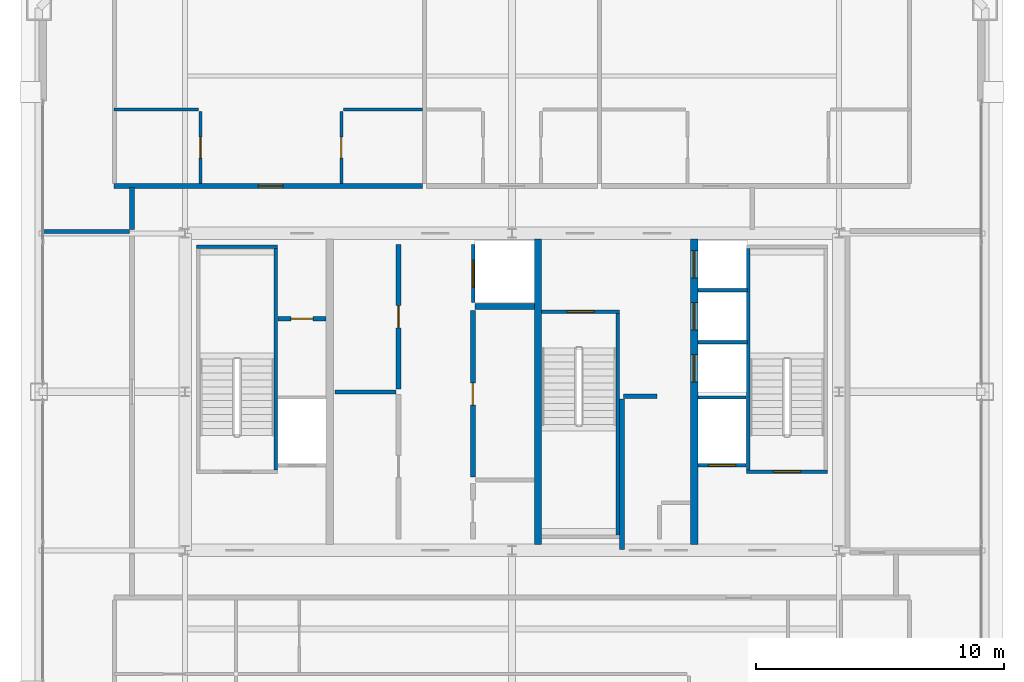
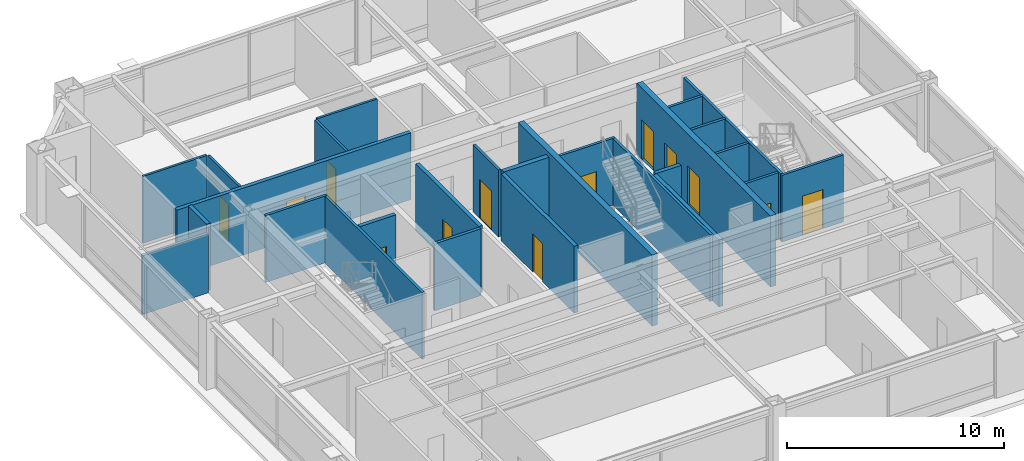
# One storey, part 31 of 34: 27 walls, 13 doors, 13 openings.
"""IFC4 building model written with IfcOpenShell, lengths in metres."""

from ifc_helpers import new_model, si_unit, direction, frame, frame_2d, origin, place, context, subcontext, project, spatial, rectangle, extrude, source, transform, mapped, material, layer, layer_set, type_object, element, fill, save


model = new_model("IFC4")

# Units and contexts
model_context = context("Model", 3, precision=1e-05, world=origin(), true_north=direction((0.0, 1.0)))
body_context = subcontext(model_context, "Body", "Model", "MODEL_VIEW")
ifc_project = project(units=[si_unit("LENGTHUNIT", "METRE"), si_unit("AREAUNIT", "SQUARE_METRE"), si_unit("VOLUMEUNIT", "CUBIC_METRE"), si_unit("PLANEANGLEUNIT", "RADIAN"), si_unit("MASSUNIT", "GRAM", prefix="KILO"), si_unit("THERMODYNAMICTEMPERATUREUNIT", "KELVIN"), si_unit("POWERUNIT", "WATT")], contexts=[model_context])

# Site, building, storey
site_placement = place(None, origin())
site = spatial("IfcSite", under=ifc_project, at=site_placement, CompositionType="ELEMENT")
building_placement = place(site_placement, origin())
building = spatial("IfcBuilding", under=site, at=building_placement, Name="Yuzanri Waterfront Tower", CompositionType="ELEMENT")
storey_placement = place(building_placement, frame((0.0, 0.0, 339.199951171875)))
storey = spatial("IfcBuildingStorey", under=building, at=storey_placement, Name="L91", CompositionType="ELEMENT", Elevation=339.199951171875)

# Wall, opening, door
ifc_material_1 = material(Name="Moisture-Resistant Gypsum Stud Wall", Category="gypsum")
ifc_layer_1 = layer(ifc_material_1, 0.1201171875)
ifc_layer_set_1 = layer_set([ifc_layer_1], Name="Moisture-Resistant Gypsum Stud Wall")
wall_type_1 = type_object("IfcWallType", Name="Bathroom and Kitchen Wet Partition 120", PredefinedType="PARTITIONING", material=ifc_layer_set_1)
wall_1_placement = place(storey_placement, frame((24.419921875, 34.2099609375, 0.0), z_axis=(0.0, 0.0, 1.0), x_axis=(0.0, 1.0, 0.0)))
wall_1 = element("IfcWall", 1, at=wall_1_placement, inside=storey, type_object=wall_type_1, Name="L91 Partition UW-L91-HN1-SUB-1-E", PredefinedType="PARTITIONING", context=body_context, shape_type="SweptSolid", body=[
    extrude(rectangle(XDim=2.900146484375, YDim=0.1201171875, at=frame_2d((1.4501953125, 0.0))), origin(), (0.0, 0.0, 1.0), 3.760009765625),
])
opening_1_placement = place(wall_1_placement, frame((1.02490234375, 0.0, 0.0)))
opening_1 = element("IfcOpeningElement", 2, at=opening_1_placement, cuts=wall_1, Name="Opening ID-0850", PredefinedType="OPENING", context=body_context, shape_type="SweptSolid", body=[
    extrude(rectangle(XDim=0.85009765625, YDim=2.10009765625, at=frame_2d((0.425048828125, 1.050048828125))), frame((0.0, 0.074951171875, 0.0), z_axis=(0.0, -1.0, 0.0), x_axis=(1.0, 0.0, 0.0)), (0.0, 0.0, 1.0), 0.14990234375),
])
ifc_material_2 = material(Name="Moisture-Resistant Lacquered Timber", Category="wood")
door_type_1 = type_object("IfcDoorType", Name="En-Suite Bathroom and Kitchen Swing Door 850x2100", OperationType="NOTDEFINED", PredefinedType="DOOR", material=ifc_material_2)
shared_shape_1 = source(origin(), body_context, "Body", "SweptSolid", [
    extrude(rectangle(XDim=0.85009765625, YDim=2.10009765625, at=frame_2d((0.425048828125, 1.050048828125))), frame((0.0, 0.02490234375, 0.0), z_axis=(0.0, -1.0, 0.0), x_axis=(1.0, 0.0, 0.0)), (0.0, 0.0, 1.0), 0.050048828125),
])
door_1_placement = place(opening_1_placement, origin())
door_1 = element("IfcDoor", 3, at=door_1_placement, inside=storey, type_object=door_type_1, Name="L91 Suite Interior Room Door", OperationType="SINGLE_SWING_RIGHT", OverallHeight=2.10009765625, OverallWidth=0.85009765625, PredefinedType="DOOR", context=body_context, shape_type="MappedRepresentation", body=[
    mapped(shared_shape_1, transform((0.0, 0.0, 0.0), scale=1.0)),
])
fill(opening_1, door_1)

wall_2_placement = place(storey_placement, frame((30.10693359375, 34.2099609375, 0.0), z_axis=(0.0, 0.0, 1.0), x_axis=(0.0, 1.0, 0.0)))
wall_2 = element("IfcWall", 4, at=wall_2_placement, inside=storey, type_object=wall_type_1, Name="L91 Partition UW-L91-HN1-SUB-2-W", PredefinedType="PARTITIONING", context=body_context, shape_type="SweptSolid", body=[
    extrude(rectangle(XDim=2.900146484375, YDim=0.1201171875, at=frame_2d((1.4501953125, 0.0))), origin(), (0.0, 0.0, 1.0), 3.760009765625),
])
opening_2_placement = place(wall_2_placement, frame((1.02490234375, 0.0, 0.0)))
opening_2 = element("IfcOpeningElement", 5, at=opening_2_placement, cuts=wall_2, Name="Opening ID-0850", PredefinedType="OPENING", context=body_context, shape_type="SweptSolid", body=[
    extrude(rectangle(XDim=0.85009765625, YDim=2.10009765625, at=frame_2d((0.425048828125, 1.050048828125))), frame((0.0, 0.074951171875, 0.0), z_axis=(0.0, -1.0, 0.0), x_axis=(1.0, 0.0, 0.0)), (0.0, 0.0, 1.0), 0.14990234375),
])
door_2_placement = place(opening_2_placement, origin())
door_2 = element("IfcDoor", 6, at=door_2_placement, inside=storey, type_object=door_type_1, Name="L91 Suite Interior Room Door", OperationType="SINGLE_SWING_LEFT", OverallHeight=2.10009765625, OverallWidth=0.85009765625, PredefinedType="DOOR", context=body_context, shape_type="MappedRepresentation", body=[
    mapped(shared_shape_1, transform((0.0, 0.0, 0.0), scale=1.0)),
])
fill(opening_2, door_2)

# Wall, openings, doors
ifc_material_3 = material(Name="Concrete C50", Category="concrete")
ifc_layer_2 = layer(ifc_material_3, 0.300048828125)
ifc_layer_set_2 = layer_set([ifc_layer_2], Name="Concrete C50")
wall_type_2 = type_object("IfcWallType", Name="Concrete C50 Internal Core Shaft Structural Wall 300", PredefinedType="SOLIDWALL", material=ifc_layer_set_2)
wall_3_placement = place(storey_placement, frame((44.35009765625, 19.639892578125, 0.0), z_axis=(0.0, 0.0, 1.0), x_axis=(0.0, 1.0, 0.0)))
wall_3 = element("IfcWall", 7, at=wall_3_placement, inside=storey, type_object=wall_type_2, Name="L91 Core Internal Structural Web Wall 3", PredefinedType="SOLIDWALL", context=body_context, shape_type="SweptSolid", body=[
    extrude(rectangle(XDim=12.320068359375, YDim=0.300048828125, at=frame_2d((6.16015625, 0.0))), origin(), (0.0, 0.0, 1.0), 4.0),
])
opening_3_placement = place(wall_3_placement, frame((6.56005859375, 0.0, 0.0)))
opening_3 = element("IfcOpeningElement", 8, at=opening_3_placement, cuts=wall_3, Name="Opening LD-PL-09", PredefinedType="OPENING", context=body_context, shape_type="SweptSolid", body=[
    extrude(rectangle(XDim=1.10009765625, YDim=2.199951171875, at=frame_2d((0.550048828125, 1.10009765625))), frame((0.0, 0.1650390625, 0.0), z_axis=(0.0, -1.0, 0.0), x_axis=(1.0, 0.0, 0.0)), (0.0, 0.0, 1.0), 0.329833984375),
])
opening_4_placement = place(wall_3_placement, frame((8.659912109375, 0.0, 0.0)))
opening_4 = element("IfcOpeningElement", 9, at=opening_4_placement, cuts=wall_3, Name="Opening LD-PL-10", PredefinedType="OPENING", context=body_context, shape_type="SweptSolid", body=[
    extrude(rectangle(XDim=1.10009765625, YDim=2.199951171875, at=frame_2d((0.550048828125, 1.10009765625))), frame((0.0, 0.1650390625, 0.0), z_axis=(0.0, -1.0, 0.0), x_axis=(1.0, 0.0, 0.0)), (0.0, 0.0, 1.0), 0.329833984375),
])
opening_5_placement = place(wall_3_placement, frame((10.760009765625, 0.0, 0.0)))
opening_5 = element("IfcOpeningElement", 10, at=opening_5_placement, cuts=wall_3, Name="Opening LD-PL-11", PredefinedType="OPENING", context=body_context, shape_type="SweptSolid", body=[
    extrude(rectangle(XDim=1.10009765625, YDim=2.199951171875, at=frame_2d((0.550048828125, 1.10009765625))), frame((0.0, 0.1650390625, 0.0), z_axis=(0.0, -1.0, 0.0), x_axis=(1.0, 0.0, 0.0)), (0.0, 0.0, 1.0), 0.329833984375),
])
ifc_material_4 = material(Name="Brushed Bronze and Stainless Steel Cab", Category="steel")
door_type_2 = type_object("IfcDoorType", Name="Center-Parting Bronze Lift Landing Sliding Door 1100x2200", OperationType="NOTDEFINED", PredefinedType="DOOR", material=ifc_material_4)
shared_shape_2 = source(origin(), body_context, "Body", "SweptSolid", [
    extrude(rectangle(XDim=1.10009765625, YDim=2.199951171875, at=frame_2d((0.550048828125, 1.10009765625))), frame((0.0, 0.02490234375, 0.0), z_axis=(0.0, -1.0, 0.0), x_axis=(1.0, 0.0, 0.0)), (0.0, 0.0, 1.0), 0.050048828125),
])
door_3_placement = place(opening_3_placement, origin())
door_3 = element("IfcDoor", 11, at=door_3_placement, inside=storey, type_object=door_type_2, Name="L91 PL-09 Lift Landing Sliding Door", OperationType="SLIDING_TO_LEFT", OverallHeight=2.199951171875, OverallWidth=1.10009765625, PredefinedType="DOOR", context=body_context, shape_type="MappedRepresentation", body=[
    mapped(shared_shape_2, transform((0.0, 0.0, 0.0), scale=1.0)),
])
fill(opening_3, door_3)
door_4_placement = place(opening_4_placement, origin())
door_4 = element("IfcDoor", 12, at=door_4_placement, inside=storey, type_object=door_type_2, Name="L91 PL-10 Lift Landing Sliding Door", OperationType="SLIDING_TO_RIGHT", OverallHeight=2.199951171875, OverallWidth=1.10009765625, PredefinedType="DOOR", context=body_context, shape_type="MappedRepresentation", body=[
    mapped(shared_shape_2, transform((0.0, 0.0, 0.0), scale=1.0)),
])
fill(opening_4, door_4)
door_5_placement = place(opening_5_placement, origin())
door_5 = element("IfcDoor", 13, at=door_5_placement, inside=storey, type_object=door_type_2, Name="L91 PL-11 Lift Landing Sliding Door", OperationType="SLIDING_TO_LEFT", OverallHeight=2.199951171875, OverallWidth=1.10009765625, PredefinedType="DOOR", context=body_context, shape_type="MappedRepresentation", body=[
    mapped(shared_shape_2, transform((0.0, 0.0, 0.0), scale=1.0)),
])
fill(opening_5, door_5)

# Wall, opening, door
ifc_material_5 = material(Name="Concrete C40", Category="concrete")
ifc_layer_3 = layer(ifc_material_5, 0.139892578125)
ifc_layer_set_3 = layer_set([ifc_layer_3], Name="Concrete C40")
wall_type_3 = type_object("IfcWallType", Name="Core Stair Liner and Hoistway Shaft Wall 140", PredefinedType="SOLIDWALL", material=ifc_layer_set_3)
wall_4_placement = place(storey_placement, frame((44.52001953125, 22.830078125, 0.0), z_axis=(0.0, 0.0, 1.0), x_axis=(1.0, 0.0, 0.0)))
wall_4 = element("IfcWall", 14, at=wall_4_placement, inside=storey, type_object=wall_type_3, Name="L91 Lift FL-02 Front Shaft Wall", PredefinedType="SOLIDWALL", context=body_context, shape_type="SweptSolid", body=[
    extrude(rectangle(XDim=1.919921875, YDim=0.139892578125, at=frame_2d((0.9599609375, 0.0))), origin(), (0.0, 0.0, 1.0), 3.760009765625),
])
opening_6_placement = place(wall_4_placement, frame((0.409912109375, 0.0, 0.0)))
opening_6 = element("IfcOpeningElement", 15, at=opening_6_placement, cuts=wall_4, Name="Opening LD-FL-02", PredefinedType="OPENING", context=body_context, shape_type="SweptSolid", body=[
    extrude(rectangle(XDim=1.10009765625, YDim=2.199951171875, at=frame_2d((0.550048828125, 1.10009765625))), frame((0.0, 0.0849609375, 0.0), z_axis=(0.0, -1.0, 0.0), x_axis=(1.0, 0.0, 0.0)), (0.0, 0.0, 1.0), 0.169677734375),
])
door_6_placement = place(opening_6_placement, origin())
door_6 = element("IfcDoor", 16, at=door_6_placement, inside=storey, type_object=door_type_2, Name="L91 FL-02 Lift Landing Sliding Door", OperationType="SLIDING_TO_RIGHT", OverallHeight=2.199951171875, OverallWidth=1.10009765625, PredefinedType="DOOR", context=body_context, shape_type="MappedRepresentation", body=[
    mapped(shared_shape_2, transform((0.0, 0.0, 0.0), scale=1.0)),
])
fill(opening_6, door_6)

wall_5_placement = place(storey_placement, frame((35.429931640625, 29.39990234375, 0.0), z_axis=(0.0, 0.0, 1.0), x_axis=(0.0, 1.0, 0.0)))
wall_5 = element("IfcWall", 17, at=wall_5_placement, inside=storey, type_object=wall_type_3, Name="L91 Lift SL-02 Front Shaft Wall", PredefinedType="SOLIDWALL", context=body_context, shape_type="SweptSolid", body=[
    extrude(rectangle(XDim=2.340087890625, YDim=0.139892578125, at=frame_2d((1.169921875, 0.0))), origin(), (0.0, 0.0, 1.0), 3.760009765625),
])
opening_7_placement = place(wall_5_placement, frame((0.6201171875, 0.0, 0.0)))
opening_7 = element("IfcOpeningElement", 18, at=opening_7_placement, cuts=wall_5, Name="Opening LD-SL-02", PredefinedType="OPENING", context=body_context, shape_type="SweptSolid", body=[
    extrude(rectangle(XDim=1.10009765625, YDim=2.199951171875, at=frame_2d((0.550048828125, 1.10009765625))), frame((0.0, 0.0849609375, 0.0), z_axis=(0.0, -1.0, 0.0), x_axis=(1.0, 0.0, 0.0)), (0.0, 0.0, 1.0), 0.169677734375),
])
door_7_placement = place(opening_7_placement, origin())
door_7 = element("IfcDoor", 19, at=door_7_placement, inside=storey, type_object=door_type_2, Name="L91 SL-02 Lift Landing Sliding Door", OperationType="SLIDING_TO_RIGHT", OverallHeight=2.199951171875, OverallWidth=1.10009765625, PredefinedType="DOOR", context=body_context, shape_type="MappedRepresentation", body=[
    mapped(shared_shape_2, transform((0.0, 0.0, 0.0), scale=1.0)),
])
fill(opening_7, door_7)

wall_6_placement = place(storey_placement, frame((46.4599609375, 22.570068359375, 0.0), z_axis=(0.0, 0.0, 1.0), x_axis=(1.0, 0.0, 0.0)))
wall_6 = element("IfcWall", 20, at=wall_6_placement, inside=storey, type_object=wall_type_3, Name="L91 Shaft Wall STW-L91-ST-02-S", PredefinedType="SOLIDWALL", context=body_context, shape_type="SweptSolid", body=[
    extrude(rectangle(XDim=3.280029296875, YDim=0.139892578125, at=frame_2d((1.64013671875, 0.0))), origin(), (0.0, 0.0, 1.0), 3.760009765625),
])
opening_8_placement = place(wall_6_placement, frame((1.090087890625, 0.0, 0.0)))
opening_8 = element("IfcOpeningElement", 21, at=opening_8_placement, cuts=wall_6, Name="Opening FD-1100", PredefinedType="OPENING", context=body_context, shape_type="SweptSolid", body=[
    extrude(rectangle(XDim=1.10009765625, YDim=2.199951171875, at=frame_2d((0.550048828125, 1.10009765625))), frame((0.0, 0.0849609375, 0.0), z_axis=(0.0, -1.0, 0.0), x_axis=(1.0, 0.0, 0.0)), (0.0, 0.0, 1.0), 0.169677734375),
])
ifc_material_6 = material(Name="Painted Galvanized Fire Steel", Category="steel")
door_type_3 = type_object("IfcDoorType", Name="Smoke-Proof Stair and Lobby Fire Door 1100x2200", OperationType="NOTDEFINED", PredefinedType="DOOR", material=ifc_material_6)
shared_shape_3 = source(origin(), body_context, "Body", "SweptSolid", [
    extrude(rectangle(XDim=1.10009765625, YDim=2.199951171875, at=frame_2d((0.550048828125, 1.10009765625))), frame((0.0, 0.02490234375, 0.0), z_axis=(0.0, -1.0, 0.0), x_axis=(1.0, 0.0, 0.0)), (0.0, 0.0, 1.0), 0.050048828125),
])
door_8_placement = place(opening_8_placement, origin())
door_8 = element("IfcDoor", 22, at=door_8_placement, inside=storey, type_object=door_type_3, Name="L91 Stair ST-02 Fire Door", OperationType="SINGLE_SWING_LEFT", OverallHeight=2.199951171875, OverallWidth=1.10009765625, PredefinedType="DOOR", context=body_context, shape_type="MappedRepresentation", body=[
    mapped(shared_shape_3, transform((0.0, 0.0, 0.0), scale=1.0)),
])
fill(opening_8, door_8)

wall_7_placement = place(storey_placement, frame((38.199951171875, 29.030029296875, 0.0), z_axis=(0.0, 0.0, 1.0), x_axis=(1.0, 0.0, 0.0)))
wall_7 = element("IfcWall", 23, at=wall_7_placement, inside=storey, type_object=wall_type_3, Name="L91 Shaft Wall STW-L91-ST-03-N", PredefinedType="SOLIDWALL", context=body_context, shape_type="SweptSolid", body=[
    extrude(rectangle(XDim=3.14013671875, YDim=0.139892578125, at=frame_2d((1.570068359375, 0.0))), origin(), (0.0, 0.0, 1.0), 3.760009765625),
])
opening_9_placement = place(wall_7_placement, frame((1.02001953125, 0.0, 0.0)))
opening_9 = element("IfcOpeningElement", 24, at=opening_9_placement, cuts=wall_7, Name="Opening FD-1100", PredefinedType="OPENING", context=body_context, shape_type="SweptSolid", body=[
    extrude(rectangle(XDim=1.10009765625, YDim=2.199951171875, at=frame_2d((0.550048828125, 1.10009765625))), frame((0.0, 0.0849609375, 0.0), z_axis=(0.0, -1.0, 0.0), x_axis=(1.0, 0.0, 0.0)), (0.0, 0.0, 1.0), 0.169677734375),
])
door_9_placement = place(opening_9_placement, origin())
door_9 = element("IfcDoor", 25, at=door_9_placement, inside=storey, type_object=door_type_3, Name="L91 Stair ST-03 Fire Door", OperationType="SINGLE_SWING_RIGHT", OverallHeight=2.199951171875, OverallWidth=1.10009765625, PredefinedType="DOOR", context=body_context, shape_type="MappedRepresentation", body=[
    mapped(shared_shape_3, transform((0.0, 0.0, 0.0), scale=1.0)),
])
fill(opening_9, door_9)

ifc_material_7 = material(Name="Autoclaved Aerated Concrete Blockwork", Category="masonry")
ifc_layer_4 = layer(ifc_material_7, 0.199951171875)
ifc_layer_set_4 = layer_set([ifc_layer_4], Name="Autoclaved Aerated Concrete Blockwork")
wall_type_4 = type_object("IfcWallType", Name="Corridor and Unit Party Fire Wall 200", PredefinedType="PARTITIONING", material=ifc_layer_set_4)
wall_8_placement = place(storey_placement, frame((27.56005859375, 28.75, 0.0), z_axis=(0.0, 0.0, 1.0), x_axis=(1.0, 0.0, 0.0)))
wall_8 = element("IfcWall", 26, at=wall_8_placement, inside=storey, type_object=wall_type_4, Name="L91 Partition CRW-L91-ERTR", PredefinedType="PARTITIONING", context=body_context, shape_type="SweptSolid", body=[
    extrude(rectangle(XDim=1.919921875, YDim=0.199951171875, at=frame_2d((0.9599609375, 0.0))), origin(), (0.0, 0.0, 1.0), 3.760009765625),
])
opening_10_placement = place(wall_8_placement, frame((0.510009765625, 0.0, 0.0)))
opening_10 = element("IfcOpeningElement", 27, at=opening_10_placement, cuts=wall_8, Name="Opening FD-0900", PredefinedType="OPENING", context=body_context, shape_type="SweptSolid", body=[
    extrude(rectangle(XDim=0.89990234375, YDim=2.14990234375, at=frame_2d((0.449951171875, 1.074951171875))), frame((0.0, 0.11474609375, 0.0), z_axis=(0.0, -1.0, 0.0), x_axis=(1.0, 0.0, 0.0)), (0.0, 0.0, 1.0), 0.229736328125),
])
ifc_material_8 = material(Name="Painted Galvanized Fire Steel", Category="steel")
door_type_4 = type_object("IfcDoorType", Name="Riser and Service Room Fire Door 900x2150", OperationType="NOTDEFINED", PredefinedType="DOOR", material=ifc_material_8)
shared_shape_4 = source(origin(), body_context, "Body", "SweptSolid", [
    extrude(rectangle(XDim=0.89990234375, YDim=2.14990234375, at=frame_2d((0.449951171875, 1.074951171875))), frame((0.0, 0.02490234375, 0.0), z_axis=(0.0, -1.0, 0.0), x_axis=(1.0, 0.0, 0.0)), (0.0, 0.0, 1.0), 0.050048828125),
])
door_10_placement = place(opening_10_placement, origin())
door_10 = element("IfcDoor", 28, at=door_10_placement, inside=storey, type_object=door_type_4, Name="L91 Electrical Riser Door", OperationType="SINGLE_SWING_RIGHT", OverallHeight=2.14990234375, OverallWidth=0.89990234375, PredefinedType="DOOR", context=body_context, shape_type="MappedRepresentation", body=[
    mapped(shared_shape_4, transform((0.0, 0.0, 0.0), scale=1.0)),
])
fill(opening_10, door_10)

wall_9_placement = place(storey_placement, frame((32.419921875, 25.919921875, 0.0), z_axis=(0.0, 0.0, 1.0), x_axis=(0.0, 1.0, 0.0)))
wall_9 = element("IfcWall", 29, at=wall_9_placement, inside=storey, type_object=wall_type_4, Name="L91 Partition CRW-L91-B1R-2", PredefinedType="PARTITIONING", context=body_context, shape_type="SweptSolid", body=[
    extrude(rectangle(XDim=5.820068359375, YDim=0.199951171875, at=frame_2d((2.91015625, 0.0))), origin(), (0.0, 0.0, 1.0), 3.760009765625),
])
opening_11_placement = place(wall_9_placement, frame((2.4599609375, 0.0, 0.0)))
opening_11 = element("IfcOpeningElement", 30, at=opening_11_placement, cuts=wall_9, Name="Opening FD-0900", PredefinedType="OPENING", context=body_context, shape_type="SweptSolid", body=[
    extrude(rectangle(XDim=0.89990234375, YDim=2.14990234375, at=frame_2d((0.449951171875, 1.074951171875))), frame((0.0, 0.11474609375, 0.0), z_axis=(0.0, -1.0, 0.0), x_axis=(1.0, 0.0, 0.0)), (0.0, 0.0, 1.0), 0.229736328125),
])
door_11_placement = place(opening_11_placement, origin())
door_11 = element("IfcDoor", 31, at=door_11_placement, inside=storey, type_object=door_type_4, Name="L91 North Private Store Room", OperationType="SINGLE_SWING_RIGHT", OverallHeight=2.14990234375, OverallWidth=0.89990234375, PredefinedType="DOOR", context=body_context, shape_type="MappedRepresentation", body=[
    mapped(shared_shape_4, transform((0.0, 0.0, 0.0), scale=1.0)),
])
fill(opening_11, door_11)

wall_10_placement = place(storey_placement, frame((35.419921875, 22.35009765625, 0.0), z_axis=(0.0, 0.0, 1.0), x_axis=(0.0, 1.0, 0.0)))
wall_10 = element("IfcWall", 32, at=wall_10_placement, inside=storey, type_object=wall_type_4, Name="L91 Partition CRW-L91-B2R-2", PredefinedType="PARTITIONING", context=body_context, shape_type="SweptSolid", body=[
    extrude(rectangle(XDim=6.72998046875, YDim=0.199951171875, at=frame_2d((3.364990234375, 0.0))), origin(), (0.0, 0.0, 1.0), 3.760009765625),
])
opening_12_placement = place(wall_10_placement, frame((2.9150390625, 0.0, 0.0)))
opening_12 = element("IfcOpeningElement", 33, at=opening_12_placement, cuts=wall_10, Name="Opening FD-0900", PredefinedType="OPENING", context=body_context, shape_type="SweptSolid", body=[
    extrude(rectangle(XDim=0.89990234375, YDim=2.14990234375, at=frame_2d((0.449951171875, 1.074951171875))), frame((0.0, 0.11474609375, 0.0), z_axis=(0.0, -1.0, 0.0), x_axis=(1.0, 0.0, 0.0)), (0.0, 0.0, 1.0), 0.229736328125),
])
door_12_placement = place(opening_12_placement, origin())
door_12 = element("IfcDoor", 34, at=door_12_placement, inside=storey, type_object=door_type_4, Name="L91 Upper Linen Store Room", OperationType="SINGLE_SWING_RIGHT", OverallHeight=2.14990234375, OverallWidth=0.89990234375, PredefinedType="DOOR", context=body_context, shape_type="MappedRepresentation", body=[
    mapped(shared_shape_4, transform((0.0, 0.0, 0.0), scale=1.0)),
])
fill(opening_12, door_12)

wall_11_placement = place(storey_placement, frame((20.93994140625, 34.110107421875, 0.0), z_axis=(0.0, 0.0, 1.0), x_axis=(1.0, 0.0, 0.0)))
wall_11 = element("IfcWall", 35, at=wall_11_placement, inside=storey, type_object=wall_type_4, Name="L91 Partition UW-L91-HN1-CS", PredefinedType="PARTITIONING", context=body_context, shape_type="SweptSolid", body=[
    extrude(rectangle(XDim=12.447021484375, YDim=0.199951171875, at=frame_2d((6.2236328125, 0.0))), origin(), (0.0, 0.0, 1.0), 3.760009765625),
])
opening_13_placement = place(wall_11_placement, frame((5.823974609375, 0.0, 0.0)))
opening_13 = element("IfcOpeningElement", 36, at=opening_13_placement, cuts=wall_11, Name="Opening FD-1000", PredefinedType="OPENING", context=body_context, shape_type="SweptSolid", body=[
    extrude(rectangle(XDim=1.0, YDim=2.199951171875, at=frame_2d((0.5, 1.10009765625))), frame((0.0, 0.11474609375, 0.0), z_axis=(0.0, -1.0, 0.0), x_axis=(1.0, 0.0, 0.0)), (0.0, 0.0, 1.0), 0.229736328125),
])
ifc_material_9 = material(Name="Engineered Oak Fire-Rated Timber", Category="wood")
door_type_5 = type_object("IfcDoorType", Name="Guestroom and Apartment Entrance Fire Door 1000x2200", OperationType="NOTDEFINED", PredefinedType="DOOR", material=ifc_material_9)
shared_shape_5 = source(origin(), body_context, "Body", "SweptSolid", [
    extrude(rectangle(XDim=1.0, YDim=2.199951171875, at=frame_2d((0.5, 1.10009765625))), frame((0.0, 0.02490234375, 0.0), z_axis=(0.0, -1.0, 0.0), x_axis=(1.0, 0.0, 0.0)), (0.0, 0.0, 1.0), 0.050048828125),
])
door_13_placement = place(opening_13_placement, origin())
door_13 = element("IfcDoor", 37, at=door_13_placement, inside=storey, type_object=door_type_5, Name="L91 Studio Living and Sleeping Room Entrance Door", OperationType="SINGLE_SWING_LEFT", OverallHeight=2.199951171875, OverallWidth=1.0, PredefinedType="DOOR", context=body_context, shape_type="MappedRepresentation", body=[
    mapped(shared_shape_5, transform((0.0, 0.0, 0.0), scale=1.0)),
])
fill(opening_13, door_13)

# Walls
shared_shape_6 = source(origin(), body_context, "Body", "SweptSolid", [
    extrude(rectangle(XDim=12.320068359375, YDim=0.300048828125, at=frame_2d((6.16015625, 0.0))), origin(), (0.0, 0.0, 1.0), 4.0),
])
wall_12_placement = place(storey_placement, frame((38.050048828125, 19.639892578125, 0.0), z_axis=(0.0, 0.0, 1.0), x_axis=(0.0, 1.0, 0.0)))
element("IfcWall", 38, at=wall_12_placement, inside=storey, type_object=wall_type_2, Name="L91 Core Internal Structural Web Wall 2", PredefinedType="SOLIDWALL", context=body_context, shape_type="MappedRepresentation", body=[
    mapped(shared_shape_6, transform((0.0, 0.0, 0.0), scale=1.0)),
])
shared_shape_7 = source(origin(), body_context, "Body", "SweptSolid", [
    extrude(rectangle(XDim=1.919921875, YDim=0.139892578125, at=frame_2d((0.9599609375, 0.0))), origin(), (0.0, 0.0, 1.0), 3.760009765625),
])
wall_13_placement = place(storey_placement, frame((44.52001953125, 25.570068359375, 0.0), z_axis=(0.0, 0.0, 1.0), x_axis=(1.0, 0.0, 0.0)))
element("IfcWall", 39, at=wall_13_placement, inside=storey, type_object=wall_type_3, Name="L91 Lift FL-02 Back Shaft Wall", PredefinedType="SOLIDWALL", context=body_context, shape_type="MappedRepresentation", body=[
    mapped(shared_shape_7, transform((0.0, 0.0, 0.0), scale=1.0)),
])
ifc_material_10 = material(Name="Concrete C40", Category="concrete")
ifc_layer_5 = layer(ifc_material_10, 0.25)
ifc_layer_set_5 = layer_set([ifc_layer_5], Name="Concrete C40")
wall_type_5 = type_object("IfcWallType", Name="Smoke-Proof Stair and Lift Shaft Wall 250", PredefinedType="SOLIDWALL", material=ifc_layer_set_5)
shared_shape_8 = source(origin(), body_context, "Body", "SweptSolid", [
    extrude(rectangle(XDim=2.39990234375, YDim=0.25, at=frame_2d((1.199951171875, 0.0))), origin(), (0.0, 0.0, 1.0), 3.760009765625),
])
wall_14_placement = place(storey_placement, frame((35.5, 29.25, 0.0), z_axis=(0.0, 0.0, 1.0), x_axis=(1.0, 0.0, 0.0)))
element("IfcWall", 40, at=wall_14_placement, inside=storey, type_object=wall_type_5, Name="L91 Lift SL-02 South Shaft Wall", PredefinedType="SOLIDWALL", context=body_context, shape_type="MappedRepresentation", body=[
    mapped(shared_shape_8, transform((0.0, 0.0, 0.0), scale=1.0)),
])
shared_shape_9 = source(origin(), body_context, "Body", "SweptSolid", [
    extrude(rectangle(XDim=2.0, YDim=0.139892578125, at=frame_2d((1.0, 0.0))), origin(), (0.0, 0.0, 1.0), 3.760009765625),
])
for number, where, z_axis, x_axis, name in (
    (41, (44.5, 27.800048828125, 0.0), (0.0, 0.0, 1.0), (1.0, 0.0, 0.0), "L91 Lift PL-09 Divider Wall"),
    (42, (44.5, 29.89990234375, 0.0), (0.0, 0.0, 1.0), (1.0, 0.0, 0.0), "L91 Lift PL-10 Divider Wall"),
):
    element("IfcWall", number, at=place(storey_placement, frame(where, z_axis=z_axis, x_axis=x_axis)), inside=storey, type_object=wall_type_3, Name=name, PredefinedType="SOLIDWALL", context=body_context, shape_type="MappedRepresentation", body=[
        mapped(shared_shape_9, transform((0.0, 0.0, 0.0), scale=1.0)),
    ])
shared_shape_10 = source(origin(), body_context, "Body", "SweptSolid", [
    extrude(rectangle(XDim=3.280029296875, YDim=0.139892578125, at=frame_2d((1.64013671875, 0.0))), origin(), (0.0, 0.0, 1.0), 3.760009765625),
])
wall_15_placement = place(storey_placement, frame((24.260009765625, 31.64990234375, 0.0), z_axis=(0.0, 0.0, 1.0), x_axis=(1.0, 0.0, 0.0)))
element("IfcWall", 43, at=wall_15_placement, inside=storey, type_object=wall_type_3, Name="L91 Stair ST-01 North Shaft Wall", PredefinedType="SOLIDWALL", context=body_context, shape_type="MappedRepresentation", body=[
    mapped(shared_shape_10, transform((0.0, 0.0, 0.0), scale=1.0)),
])
shared_shape_11 = source(origin(), body_context, "Body", "SweptSolid", [
    extrude(rectangle(XDim=8.940185546875, YDim=0.139892578125, at=frame_2d((4.47021484375, 0.0))), origin(), (0.0, 0.0, 1.0), 3.760009765625),
])
for number, where, z_axis, x_axis, name in (
    (44, (27.469970703125, 22.639892578125, 0.0), (0.0, 0.0, 1.0), (0.0, 1.0, 0.0), "L91 Stair ST-01 East Shaft Wall"),
    (45, (46.530029296875, 22.639892578125, 0.0), (0.0, 0.0, 1.0), (0.0, 1.0, 0.0), "L91 Stair ST-02 West Shaft Wall"),
):
    element("IfcWall", number, at=place(storey_placement, frame(where, z_axis=z_axis, x_axis=x_axis)), inside=storey, type_object=wall_type_3, Name=name, PredefinedType="SOLIDWALL", context=body_context, shape_type="MappedRepresentation", body=[
        mapped(shared_shape_11, transform((0.0, 0.0, 0.0), scale=1.0)),
    ])
shared_shape_12 = source(origin(), body_context, "Body", "SweptSolid", [
    extrude(rectangle(XDim=8.93994140625, YDim=0.139892578125, at=frame_2d((4.469970703125, 0.0))), origin(), (0.0, 0.0, 1.0), 3.760009765625),
])
wall_16_placement = place(storey_placement, frame((41.27001953125, 20.02001953125, 0.0), z_axis=(0.0, 0.0, 1.0), x_axis=(0.0, 1.0, 0.0)))
element("IfcWall", 46, at=wall_16_placement, inside=storey, type_object=wall_type_3, Name="L91 Stair ST-03 East Shaft Wall", PredefinedType="SOLIDWALL", context=body_context, shape_type="MappedRepresentation", body=[
    mapped(shared_shape_12, transform((0.0, 0.0, 0.0), scale=1.0)),
])
ifc_material_11 = material(Name="Gypsum Fireboard Acoustic Stud Wall", Category="gypsum")
ifc_layer_6 = layer(ifc_material_11, 0.159912109375)
ifc_layer_set_6 = layer_set([ifc_layer_6], Name="Gypsum Fireboard Acoustic Stud Wall")
wall_type_6 = type_object("IfcWallType", Name="Acoustic Suite Demising Partition 160", PredefinedType="PARTITIONING", material=ifc_layer_set_6)
shared_shape_13 = source(origin(), body_context, "Body", "SweptSolid", [
    extrude(rectangle(XDim=2.469970703125, YDim=0.159912109375, at=frame_2d((1.23486328125, 0.0))), origin(), (0.0, 0.0, 1.0), 3.760009765625),
])
wall_17_placement = place(storey_placement, frame((29.85009765625, 25.800048828125, 0.0), z_axis=(0.0, 0.0, 1.0), x_axis=(1.0, 0.0, 0.0)))
element("IfcWall", 47, at=wall_17_placement, inside=storey, type_object=wall_type_6, Name="L91 Reclaimed Core Divider 2", PredefinedType="PARTITIONING", context=body_context, shape_type="MappedRepresentation", body=[
    mapped(shared_shape_13, transform((0.0, 0.0, 0.0), scale=1.0)),
])
shared_shape_14 = source(origin(), body_context, "Body", "SweptSolid", [
    extrude(rectangle(XDim=6.06005859375, YDim=0.199951171875, at=frame_2d((3.030029296875, 0.0))), origin(), (0.0, 0.0, 1.0), 3.760009765625),
])
wall_18_placement = place(storey_placement, frame((41.449951171875, 19.43994140625, 0.0), z_axis=(0.0, 0.0, 1.0), x_axis=(0.0, 1.0, 0.0)))
element("IfcWall", 48, at=wall_18_placement, inside=storey, type_object=wall_type_4, Name="L91 Core BOH West Wall 1", PredefinedType="PARTITIONING", context=body_context, shape_type="MappedRepresentation", body=[
    mapped(shared_shape_14, transform((0.0, 0.0, 0.0), scale=1.0)),
])
shared_shape_15 = source(origin(), body_context, "Body", "SweptSolid", [
    extrude(rectangle(XDim=1.35009765625, YDim=0.199951171875, at=frame_2d((0.675048828125, 0.0))), origin(), (0.0, 0.0, 1.0), 3.760009765625),
])
wall_19_placement = place(storey_placement, frame((41.5, 25.6201171875, 0.0), z_axis=(0.0, 0.0, 1.0), x_axis=(1.0, 0.0, 0.0)))
element("IfcWall", 49, at=wall_19_placement, inside=storey, type_object=wall_type_4, Name="L91 Core BOH Split Wall 1", PredefinedType="PARTITIONING", context=body_context, shape_type="MappedRepresentation", body=[
    mapped(shared_shape_15, transform((0.0, 0.0, 0.0), scale=1.0)),
])
shared_shape_16 = source(origin(), body_context, "Body", "SweptSolid", [
    extrude(rectangle(XDim=1.699951171875, YDim=0.199951171875, at=frame_2d((0.85009765625, 0.0))), origin(), (0.0, 0.0, 1.0), 3.760009765625),
])
wall_20_placement = place(storey_placement, frame((21.64990234375, 32.35009765625, 0.0), z_axis=(0.0, 0.0, 1.0), x_axis=(0.0, 1.0, 0.0)))
element("IfcWall", 50, at=wall_20_placement, inside=storey, type_object=wall_type_4, Name="L91 North Foyer West End Wall", PredefinedType="PARTITIONING", context=body_context, shape_type="MappedRepresentation", body=[
    mapped(shared_shape_16, transform((0.0, 0.0, 0.0), scale=1.0)),
])
shared_shape_17 = source(origin(), body_context, "Body", "SweptSolid", [
    extrude(rectangle(XDim=3.400146484375, YDim=0.1201171875, at=frame_2d((1.7001953125, 0.0))), origin(), (0.0, 0.0, 1.0), 3.760009765625),
])
wall_21_placement = place(storey_placement, frame((20.93994140625, 37.18994140625, 0.0), z_axis=(0.0, 0.0, 1.0), x_axis=(1.0, 0.0, 0.0)))
element("IfcWall", 51, at=wall_21_placement, inside=storey, type_object=wall_type_1, Name="L91 Partition UW-L91-HN1-SUB-1-N", PredefinedType="PARTITIONING", context=body_context, shape_type="MappedRepresentation", body=[
    mapped(shared_shape_17, transform((0.0, 0.0, 0.0), scale=1.0)),
])
shared_shape_18 = source(origin(), body_context, "Body", "SweptSolid", [
    extrude(rectangle(XDim=3.199951171875, YDim=0.1201171875, at=frame_2d((1.60009765625, 0.0))), origin(), (0.0, 0.0, 1.0), 3.760009765625),
])
wall_22_placement = place(storey_placement, frame((30.18701171875, 37.18994140625, 0.0), z_axis=(0.0, 0.0, 1.0), x_axis=(1.0, 0.0, 0.0)))
element("IfcWall", 52, at=wall_22_placement, inside=storey, type_object=wall_type_1, Name="L91 Partition UW-L91-HN1-SUB-2-N", PredefinedType="PARTITIONING", context=body_context, shape_type="MappedRepresentation", body=[
    mapped(shared_shape_18, transform((0.0, 0.0, 0.0), scale=1.0)),
])
shared_shape_19 = source(origin(), body_context, "Body", "SweptSolid", [
    extrude(rectangle(XDim=3.5, YDim=0.159912109375, at=frame_2d((1.75, 0.0))), origin(), (0.0, 0.0, 1.0), 3.304931640625),
])
wall_23_placement = place(storey_placement, frame((18.050048828125, 32.27001953125, 0.0), z_axis=(0.0, 0.0, 1.0), x_axis=(1.0, 0.0, 0.0)))
element("IfcWall", 53, at=wall_23_placement, inside=storey, type_object=wall_type_6, Name="L91-037 Wing North End Wall", PredefinedType="PARTITIONING", context=body_context, shape_type="MappedRepresentation", body=[
    mapped(shared_shape_19, transform((0.0, 0.0, 0.0), scale=1.0)),
])

save(model, "model.ifc")
